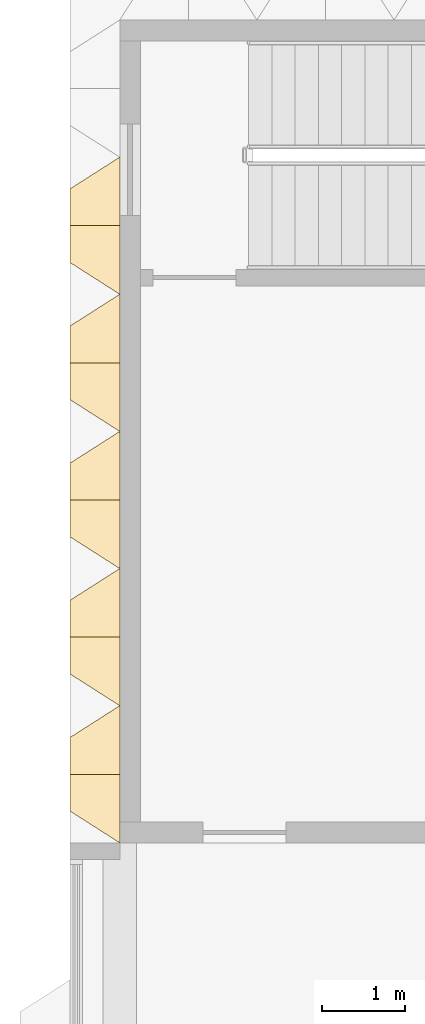
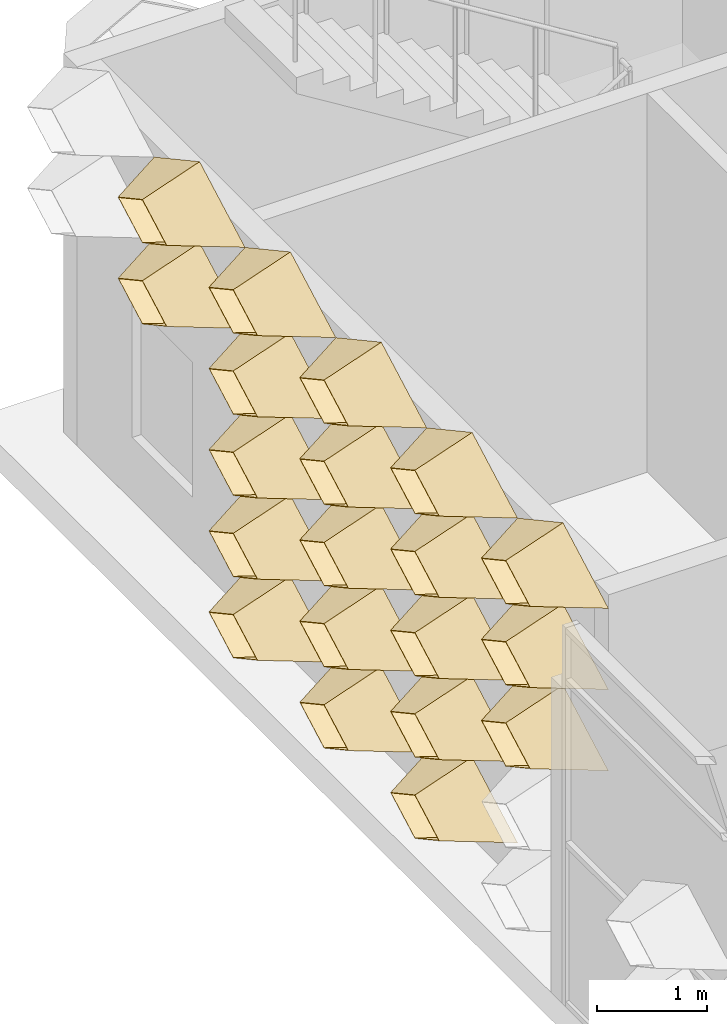
# One storey, part 65 of 109: 20 coverings.
"""IFC4 building model written with IfcOpenShell, lengths in metres."""

from ifc_helpers import new_model, entity, si_unit, direction, frame, origin, place, context, subcontext, project, spatial, material, layer, layer_set, type_object, element, save


model = new_model("IFC4")

# Units and contexts
model_context = context("Model", 3, precision=1e-05, world=origin(), true_north=direction((0.0, 1.0)))
body_context = subcontext(model_context, "Body", "Model", "MODEL_VIEW")
ifc_project = project(units=[si_unit("LENGTHUNIT", "METRE"), si_unit("AREAUNIT", "SQUARE_METRE"), si_unit("VOLUMEUNIT", "CUBIC_METRE"), si_unit("PLANEANGLEUNIT", "RADIAN"), si_unit("MASSUNIT", "GRAM", prefix="KILO")], contexts=[model_context])

# Site, building, storey
site_placement = place(None, origin())
site = spatial("IfcSite", under=ifc_project, at=site_placement, CompositionType="ELEMENT")
building_placement = place(site_placement, origin())
building = spatial("IfcBuilding", under=site, at=building_placement, Name="Lantern Court Research Institute", CompositionType="ELEMENT")
storey_placement = place(building_placement, frame((0.0, 0.0, 14.39990234375)))
storey = spatial("IfcBuildingStorey", under=building, at=storey_placement, Name="L03", CompositionType="ELEMENT", Elevation=14.39990234375)

# Coverings
ifc_material = material(Name="Anodised aluminium", Category="aluminium")
ifc_layer = layer(ifc_material, 0.01611328125)
ifc_layer_set = layer_set([ifc_layer], Name="Anodised aluminium")
covering_type = type_object("IfcCoveringType", Name="Fin cassette 1650 x 900 x 600 aluminium", PredefinedType="CLADDING", material=ifc_layer_set)
covering_1_placement = place(storey_placement, frame((0.0, 15.675048828125, 0.4501953125), z_axis=(-1.0, 0.0, 0.0), x_axis=(0.0, -1.0, 0.0)))
cartesian_point_1 = entity("IfcCartesianPoint", [0.824951171875, 0.0])
cartesian_point_2 = entity("IfcCartesianPoint", [0.79150390625, 0.0])
cartesian_point_3 = entity("IfcCartesianPoint", [0.44189453125, 0.0])
cartesian_point_4 = entity("IfcCartesianPoint", [0.43359375, 0.0])
element("IfcCovering", 1, at=covering_1_placement, inside=storey, type_object=covering_type, Name="Fin cassette V4W-L03 1.10", PredefinedType="CLADDING", context=body_context, shape_type="SweptSolid", body=[
    entity("IfcExtrudedAreaSolidTapered", entity("IfcArbitraryProfileDefWithVoids", "AREA", None, entity("IfcPolyline", [cartesian_point_1, entity("IfcCartesianPoint", [0.0, 0.449951171875]), entity("IfcCartesianPoint", [-0.824951171875, 0.0]), entity("IfcCartesianPoint", [0.0, -0.449951171875]), cartesian_point_1]), [entity("IfcPolyline", [cartesian_point_2, entity("IfcCartesianPoint", [0.0, 0.431884765625]), entity("IfcCartesianPoint", [-0.79150390625, 0.0]), entity("IfcCartesianPoint", [0.0, -0.431884765625]), cartesian_point_2])]), entity("IfcAxis2Placement3D", entity("IfcCartesianPoint", [0.0, 0.0, 0.0])), entity("IfcDirection", [0.0, 0.0, 1.0]), 0.60009765625, entity("IfcArbitraryProfileDefWithVoids", "AREA", None, entity("IfcPolyline", [cartesian_point_3, entity("IfcCartesianPoint", [0.0, 0.240966796875]), entity("IfcCartesianPoint", [-0.44189453125, 0.0]), entity("IfcCartesianPoint", [0.0, -0.240966796875]), cartesian_point_3]), [entity("IfcPolyline", [cartesian_point_4, entity("IfcCartesianPoint", [0.0, 0.236572265625]), entity("IfcCartesianPoint", [-0.43359375, 0.0]), entity("IfcCartesianPoint", [0.0, -0.236572265625]), cartesian_point_4])])),
])
covering_2_placement = place(storey_placement, frame((0.0, 17.324951171875, 0.4501953125), z_axis=(-1.0, 0.0, 0.0), x_axis=(0.0, -1.0, 0.0)))
cartesian_point_5 = entity("IfcCartesianPoint", [0.824951171875, 0.0])
cartesian_point_6 = entity("IfcCartesianPoint", [0.79150390625, 0.0])
cartesian_point_7 = entity("IfcCartesianPoint", [0.44189453125, 0.0])
cartesian_point_8 = entity("IfcCartesianPoint", [0.43359375, 0.0])
element("IfcCovering", 2, at=covering_2_placement, inside=storey, type_object=covering_type, Name="Fin cassette V4W-L03 1.11", PredefinedType="CLADDING", context=body_context, shape_type="SweptSolid", body=[
    entity("IfcExtrudedAreaSolidTapered", entity("IfcArbitraryProfileDefWithVoids", "AREA", None, entity("IfcPolyline", [cartesian_point_5, entity("IfcCartesianPoint", [0.0, 0.449951171875]), entity("IfcCartesianPoint", [-0.824951171875, 0.0]), entity("IfcCartesianPoint", [0.0, -0.449951171875]), cartesian_point_5]), [entity("IfcPolyline", [cartesian_point_6, entity("IfcCartesianPoint", [0.0, 0.431884765625]), entity("IfcCartesianPoint", [-0.79150390625, 0.0]), entity("IfcCartesianPoint", [0.0, -0.431884765625]), cartesian_point_6])]), entity("IfcAxis2Placement3D", entity("IfcCartesianPoint", [0.0, 0.0, 0.0])), entity("IfcDirection", [0.0, 0.0, 1.0]), 0.60009765625, entity("IfcArbitraryProfileDefWithVoids", "AREA", None, entity("IfcPolyline", [cartesian_point_7, entity("IfcCartesianPoint", [0.0, 0.240966796875]), entity("IfcCartesianPoint", [-0.44189453125, 0.0]), entity("IfcCartesianPoint", [0.0, -0.240966796875]), cartesian_point_7]), [entity("IfcPolyline", [cartesian_point_8, entity("IfcCartesianPoint", [0.0, 0.236572265625]), entity("IfcCartesianPoint", [-0.43359375, 0.0]), entity("IfcCartesianPoint", [0.0, -0.236572265625]), cartesian_point_8])])),
])
covering_3_placement = place(storey_placement, frame((0.0, 18.97509765625, 0.4501953125), z_axis=(-1.0, 0.0, 0.0), x_axis=(0.0, -1.0, 0.0)))
cartesian_point_9 = entity("IfcCartesianPoint", [0.824951171875, 0.0])
cartesian_point_10 = entity("IfcCartesianPoint", [0.79150390625, 0.0])
cartesian_point_11 = entity("IfcCartesianPoint", [0.44189453125, 0.0])
cartesian_point_12 = entity("IfcCartesianPoint", [0.43359375, 0.0])
element("IfcCovering", 3, at=covering_3_placement, inside=storey, type_object=covering_type, Name="Fin cassette V4W-L03 1.12", PredefinedType="CLADDING", context=body_context, shape_type="SweptSolid", body=[
    entity("IfcExtrudedAreaSolidTapered", entity("IfcArbitraryProfileDefWithVoids", "AREA", None, entity("IfcPolyline", [cartesian_point_9, entity("IfcCartesianPoint", [0.0, 0.449951171875]), entity("IfcCartesianPoint", [-0.824951171875, 0.0]), entity("IfcCartesianPoint", [0.0, -0.449951171875]), cartesian_point_9]), [entity("IfcPolyline", [cartesian_point_10, entity("IfcCartesianPoint", [0.0, 0.431884765625]), entity("IfcCartesianPoint", [-0.79150390625, 0.0]), entity("IfcCartesianPoint", [0.0, -0.431884765625]), cartesian_point_10])]), entity("IfcAxis2Placement3D", entity("IfcCartesianPoint", [0.0, 0.0, 0.0])), entity("IfcDirection", [0.0, 0.0, 1.0]), 0.60009765625, entity("IfcArbitraryProfileDefWithVoids", "AREA", None, entity("IfcPolyline", [cartesian_point_11, entity("IfcCartesianPoint", [0.0, 0.240966796875]), entity("IfcCartesianPoint", [-0.44189453125, 0.0]), entity("IfcCartesianPoint", [0.0, -0.240966796875]), cartesian_point_11]), [entity("IfcPolyline", [cartesian_point_12, entity("IfcCartesianPoint", [0.0, 0.236572265625]), entity("IfcCartesianPoint", [-0.43359375, 0.0]), entity("IfcCartesianPoint", [0.0, -0.236572265625]), cartesian_point_12])])),
])
covering_4_placement = place(storey_placement, frame((0.0, 15.675048828125, 1.35009765625), z_axis=(-1.0, 0.0, 0.0), x_axis=(0.0, -1.0, 0.0)))
cartesian_point_13 = entity("IfcCartesianPoint", [0.824951171875, 0.0])
cartesian_point_14 = entity("IfcCartesianPoint", [0.79150390625, 0.0])
cartesian_point_15 = entity("IfcCartesianPoint", [0.44189453125, 0.0])
cartesian_point_16 = entity("IfcCartesianPoint", [0.43359375, 0.0])
element("IfcCovering", 4, at=covering_4_placement, inside=storey, type_object=covering_type, Name="Fin cassette V4W-L03 2.10", PredefinedType="CLADDING", context=body_context, shape_type="SweptSolid", body=[
    entity("IfcExtrudedAreaSolidTapered", entity("IfcArbitraryProfileDefWithVoids", "AREA", None, entity("IfcPolyline", [cartesian_point_13, entity("IfcCartesianPoint", [0.0, 0.449951171875]), entity("IfcCartesianPoint", [-0.824951171875, 0.0]), entity("IfcCartesianPoint", [0.0, -0.449951171875]), cartesian_point_13]), [entity("IfcPolyline", [cartesian_point_14, entity("IfcCartesianPoint", [0.0, 0.431884765625]), entity("IfcCartesianPoint", [-0.79150390625, 0.0]), entity("IfcCartesianPoint", [0.0, -0.431884765625]), cartesian_point_14])]), entity("IfcAxis2Placement3D", entity("IfcCartesianPoint", [0.0, 0.0, 0.0])), entity("IfcDirection", [0.0, 0.0, 1.0]), 0.60009765625, entity("IfcArbitraryProfileDefWithVoids", "AREA", None, entity("IfcPolyline", [cartesian_point_15, entity("IfcCartesianPoint", [0.0, 0.240966796875]), entity("IfcCartesianPoint", [-0.44189453125, 0.0]), entity("IfcCartesianPoint", [0.0, -0.240966796875]), cartesian_point_15]), [entity("IfcPolyline", [cartesian_point_16, entity("IfcCartesianPoint", [0.0, 0.236572265625]), entity("IfcCartesianPoint", [-0.43359375, 0.0]), entity("IfcCartesianPoint", [0.0, -0.236572265625]), cartesian_point_16])])),
])
covering_5_placement = place(storey_placement, frame((0.0, 17.324951171875, 1.35009765625), z_axis=(-1.0, 0.0, 0.0), x_axis=(0.0, -1.0, 0.0)))
cartesian_point_17 = entity("IfcCartesianPoint", [0.824951171875, 0.0])
cartesian_point_18 = entity("IfcCartesianPoint", [0.79150390625, 0.0])
cartesian_point_19 = entity("IfcCartesianPoint", [0.44189453125, 0.0])
cartesian_point_20 = entity("IfcCartesianPoint", [0.43359375, 0.0])
element("IfcCovering", 5, at=covering_5_placement, inside=storey, type_object=covering_type, Name="Fin cassette V4W-L03 2.11", PredefinedType="CLADDING", context=body_context, shape_type="SweptSolid", body=[
    entity("IfcExtrudedAreaSolidTapered", entity("IfcArbitraryProfileDefWithVoids", "AREA", None, entity("IfcPolyline", [cartesian_point_17, entity("IfcCartesianPoint", [0.0, 0.449951171875]), entity("IfcCartesianPoint", [-0.824951171875, 0.0]), entity("IfcCartesianPoint", [0.0, -0.449951171875]), cartesian_point_17]), [entity("IfcPolyline", [cartesian_point_18, entity("IfcCartesianPoint", [0.0, 0.431884765625]), entity("IfcCartesianPoint", [-0.79150390625, 0.0]), entity("IfcCartesianPoint", [0.0, -0.431884765625]), cartesian_point_18])]), entity("IfcAxis2Placement3D", entity("IfcCartesianPoint", [0.0, 0.0, 0.0])), entity("IfcDirection", [0.0, 0.0, 1.0]), 0.60009765625, entity("IfcArbitraryProfileDefWithVoids", "AREA", None, entity("IfcPolyline", [cartesian_point_19, entity("IfcCartesianPoint", [0.0, 0.240966796875]), entity("IfcCartesianPoint", [-0.44189453125, 0.0]), entity("IfcCartesianPoint", [0.0, -0.240966796875]), cartesian_point_19]), [entity("IfcPolyline", [cartesian_point_20, entity("IfcCartesianPoint", [0.0, 0.236572265625]), entity("IfcCartesianPoint", [-0.43359375, 0.0]), entity("IfcCartesianPoint", [0.0, -0.236572265625]), cartesian_point_20])])),
])
covering_6_placement = place(storey_placement, frame((0.0, 18.97509765625, 1.35009765625), z_axis=(-1.0, 0.0, 0.0), x_axis=(0.0, -1.0, 0.0)))
cartesian_point_21 = entity("IfcCartesianPoint", [0.824951171875, 0.0])
cartesian_point_22 = entity("IfcCartesianPoint", [0.79150390625, 0.0])
cartesian_point_23 = entity("IfcCartesianPoint", [0.44189453125, 0.0])
cartesian_point_24 = entity("IfcCartesianPoint", [0.43359375, 0.0])
element("IfcCovering", 6, at=covering_6_placement, inside=storey, type_object=covering_type, Name="Fin cassette V4W-L03 2.12", PredefinedType="CLADDING", context=body_context, shape_type="SweptSolid", body=[
    entity("IfcExtrudedAreaSolidTapered", entity("IfcArbitraryProfileDefWithVoids", "AREA", None, entity("IfcPolyline", [cartesian_point_21, entity("IfcCartesianPoint", [0.0, 0.449951171875]), entity("IfcCartesianPoint", [-0.824951171875, 0.0]), entity("IfcCartesianPoint", [0.0, -0.449951171875]), cartesian_point_21]), [entity("IfcPolyline", [cartesian_point_22, entity("IfcCartesianPoint", [0.0, 0.431884765625]), entity("IfcCartesianPoint", [-0.79150390625, 0.0]), entity("IfcCartesianPoint", [0.0, -0.431884765625]), cartesian_point_22])]), entity("IfcAxis2Placement3D", entity("IfcCartesianPoint", [0.0, 0.0, 0.0])), entity("IfcDirection", [0.0, 0.0, 1.0]), 0.60009765625, entity("IfcArbitraryProfileDefWithVoids", "AREA", None, entity("IfcPolyline", [cartesian_point_23, entity("IfcCartesianPoint", [0.0, 0.240966796875]), entity("IfcCartesianPoint", [-0.44189453125, 0.0]), entity("IfcCartesianPoint", [0.0, -0.240966796875]), cartesian_point_23]), [entity("IfcPolyline", [cartesian_point_24, entity("IfcCartesianPoint", [0.0, 0.236572265625]), entity("IfcCartesianPoint", [-0.43359375, 0.0]), entity("IfcCartesianPoint", [0.0, -0.236572265625]), cartesian_point_24])])),
])
covering_7_placement = place(storey_placement, frame((0.0, 14.02490234375, 2.25), z_axis=(-1.0, 0.0, 0.0), x_axis=(0.0, -1.0, 0.0)))
cartesian_point_25 = entity("IfcCartesianPoint", [0.824951171875, 0.0])
cartesian_point_26 = entity("IfcCartesianPoint", [0.79150390625, 0.0])
cartesian_point_27 = entity("IfcCartesianPoint", [0.44189453125, 0.0])
cartesian_point_28 = entity("IfcCartesianPoint", [0.43359375, 0.0])
element("IfcCovering", 7, at=covering_7_placement, inside=storey, type_object=covering_type, Name="Fin cassette V4W-L03 3.9", PredefinedType="CLADDING", context=body_context, shape_type="SweptSolid", body=[
    entity("IfcExtrudedAreaSolidTapered", entity("IfcArbitraryProfileDefWithVoids", "AREA", None, entity("IfcPolyline", [cartesian_point_25, entity("IfcCartesianPoint", [0.0, 0.449951171875]), entity("IfcCartesianPoint", [-0.824951171875, 0.0]), entity("IfcCartesianPoint", [0.0, -0.449951171875]), cartesian_point_25]), [entity("IfcPolyline", [cartesian_point_26, entity("IfcCartesianPoint", [0.0, 0.431884765625]), entity("IfcCartesianPoint", [-0.79150390625, 0.0]), entity("IfcCartesianPoint", [0.0, -0.431884765625]), cartesian_point_26])]), entity("IfcAxis2Placement3D", entity("IfcCartesianPoint", [0.0, 0.0, 0.0])), entity("IfcDirection", [0.0, 0.0, 1.0]), 0.60009765625, entity("IfcArbitraryProfileDefWithVoids", "AREA", None, entity("IfcPolyline", [cartesian_point_27, entity("IfcCartesianPoint", [0.0, 0.240966796875]), entity("IfcCartesianPoint", [-0.44189453125, 0.0]), entity("IfcCartesianPoint", [0.0, -0.240966796875]), cartesian_point_27]), [entity("IfcPolyline", [cartesian_point_28, entity("IfcCartesianPoint", [0.0, 0.236572265625]), entity("IfcCartesianPoint", [-0.43359375, 0.0]), entity("IfcCartesianPoint", [0.0, -0.236572265625]), cartesian_point_28])])),
])
covering_8_placement = place(storey_placement, frame((0.0, 15.675048828125, 2.25), z_axis=(-1.0, 0.0, 0.0), x_axis=(0.0, -1.0, 0.0)))
cartesian_point_29 = entity("IfcCartesianPoint", [0.824951171875, 0.0])
cartesian_point_30 = entity("IfcCartesianPoint", [0.79150390625, 0.0])
cartesian_point_31 = entity("IfcCartesianPoint", [0.44189453125, 0.0])
cartesian_point_32 = entity("IfcCartesianPoint", [0.43359375, 0.0])
element("IfcCovering", 8, at=covering_8_placement, inside=storey, type_object=covering_type, Name="Fin cassette V4W-L03 3.10", PredefinedType="CLADDING", context=body_context, shape_type="SweptSolid", body=[
    entity("IfcExtrudedAreaSolidTapered", entity("IfcArbitraryProfileDefWithVoids", "AREA", None, entity("IfcPolyline", [cartesian_point_29, entity("IfcCartesianPoint", [0.0, 0.449951171875]), entity("IfcCartesianPoint", [-0.824951171875, 0.0]), entity("IfcCartesianPoint", [0.0, -0.449951171875]), cartesian_point_29]), [entity("IfcPolyline", [cartesian_point_30, entity("IfcCartesianPoint", [0.0, 0.431884765625]), entity("IfcCartesianPoint", [-0.79150390625, 0.0]), entity("IfcCartesianPoint", [0.0, -0.431884765625]), cartesian_point_30])]), entity("IfcAxis2Placement3D", entity("IfcCartesianPoint", [0.0, 0.0, 0.0])), entity("IfcDirection", [0.0, 0.0, 1.0]), 0.60009765625, entity("IfcArbitraryProfileDefWithVoids", "AREA", None, entity("IfcPolyline", [cartesian_point_31, entity("IfcCartesianPoint", [0.0, 0.240966796875]), entity("IfcCartesianPoint", [-0.44189453125, 0.0]), entity("IfcCartesianPoint", [0.0, -0.240966796875]), cartesian_point_31]), [entity("IfcPolyline", [cartesian_point_32, entity("IfcCartesianPoint", [0.0, 0.236572265625]), entity("IfcCartesianPoint", [-0.43359375, 0.0]), entity("IfcCartesianPoint", [0.0, -0.236572265625]), cartesian_point_32])])),
])
covering_9_placement = place(storey_placement, frame((0.0, 17.324951171875, 2.25), z_axis=(-1.0, 0.0, 0.0), x_axis=(0.0, -1.0, 0.0)))
cartesian_point_33 = entity("IfcCartesianPoint", [0.824951171875, 0.0])
cartesian_point_34 = entity("IfcCartesianPoint", [0.79150390625, 0.0])
cartesian_point_35 = entity("IfcCartesianPoint", [0.44189453125, 0.0])
cartesian_point_36 = entity("IfcCartesianPoint", [0.43359375, 0.0])
element("IfcCovering", 9, at=covering_9_placement, inside=storey, type_object=covering_type, Name="Fin cassette V4W-L03 3.11", PredefinedType="CLADDING", context=body_context, shape_type="SweptSolid", body=[
    entity("IfcExtrudedAreaSolidTapered", entity("IfcArbitraryProfileDefWithVoids", "AREA", None, entity("IfcPolyline", [cartesian_point_33, entity("IfcCartesianPoint", [0.0, 0.449951171875]), entity("IfcCartesianPoint", [-0.824951171875, 0.0]), entity("IfcCartesianPoint", [0.0, -0.449951171875]), cartesian_point_33]), [entity("IfcPolyline", [cartesian_point_34, entity("IfcCartesianPoint", [0.0, 0.431884765625]), entity("IfcCartesianPoint", [-0.79150390625, 0.0]), entity("IfcCartesianPoint", [0.0, -0.431884765625]), cartesian_point_34])]), entity("IfcAxis2Placement3D", entity("IfcCartesianPoint", [0.0, 0.0, 0.0])), entity("IfcDirection", [0.0, 0.0, 1.0]), 0.60009765625, entity("IfcArbitraryProfileDefWithVoids", "AREA", None, entity("IfcPolyline", [cartesian_point_35, entity("IfcCartesianPoint", [0.0, 0.240966796875]), entity("IfcCartesianPoint", [-0.44189453125, 0.0]), entity("IfcCartesianPoint", [0.0, -0.240966796875]), cartesian_point_35]), [entity("IfcPolyline", [cartesian_point_36, entity("IfcCartesianPoint", [0.0, 0.236572265625]), entity("IfcCartesianPoint", [-0.43359375, 0.0]), entity("IfcCartesianPoint", [0.0, -0.236572265625]), cartesian_point_36])])),
])
covering_10_placement = place(storey_placement, frame((0.0, 18.97509765625, 2.25), z_axis=(-1.0, 0.0, 0.0), x_axis=(0.0, -1.0, 0.0)))
cartesian_point_37 = entity("IfcCartesianPoint", [0.824951171875, 0.0])
cartesian_point_38 = entity("IfcCartesianPoint", [0.79150390625, 0.0])
cartesian_point_39 = entity("IfcCartesianPoint", [0.44189453125, 0.0])
cartesian_point_40 = entity("IfcCartesianPoint", [0.43359375, 0.0])
element("IfcCovering", 10, at=covering_10_placement, inside=storey, type_object=covering_type, Name="Fin cassette V4W-L03 3.12", PredefinedType="CLADDING", context=body_context, shape_type="SweptSolid", body=[
    entity("IfcExtrudedAreaSolidTapered", entity("IfcArbitraryProfileDefWithVoids", "AREA", None, entity("IfcPolyline", [cartesian_point_37, entity("IfcCartesianPoint", [0.0, 0.449951171875]), entity("IfcCartesianPoint", [-0.824951171875, 0.0]), entity("IfcCartesianPoint", [0.0, -0.449951171875]), cartesian_point_37]), [entity("IfcPolyline", [cartesian_point_38, entity("IfcCartesianPoint", [0.0, 0.431884765625]), entity("IfcCartesianPoint", [-0.79150390625, 0.0]), entity("IfcCartesianPoint", [0.0, -0.431884765625]), cartesian_point_38])]), entity("IfcAxis2Placement3D", entity("IfcCartesianPoint", [0.0, 0.0, 0.0])), entity("IfcDirection", [0.0, 0.0, 1.0]), 0.60009765625, entity("IfcArbitraryProfileDefWithVoids", "AREA", None, entity("IfcPolyline", [cartesian_point_39, entity("IfcCartesianPoint", [0.0, 0.240966796875]), entity("IfcCartesianPoint", [-0.44189453125, 0.0]), entity("IfcCartesianPoint", [0.0, -0.240966796875]), cartesian_point_39]), [entity("IfcPolyline", [cartesian_point_40, entity("IfcCartesianPoint", [0.0, 0.236572265625]), entity("IfcCartesianPoint", [-0.43359375, 0.0]), entity("IfcCartesianPoint", [0.0, -0.236572265625]), cartesian_point_40])])),
])
covering_11_placement = place(storey_placement, frame((0.0, 14.02490234375, 3.150146484375), z_axis=(-1.0, 0.0, 0.0), x_axis=(0.0, -1.0, 0.0)))
cartesian_point_41 = entity("IfcCartesianPoint", [0.824951171875, 0.0])
cartesian_point_42 = entity("IfcCartesianPoint", [0.79150390625, 0.0])
cartesian_point_43 = entity("IfcCartesianPoint", [0.44189453125, 0.0])
cartesian_point_44 = entity("IfcCartesianPoint", [0.43359375, 0.0])
element("IfcCovering", 11, at=covering_11_placement, inside=storey, type_object=covering_type, Name="Fin cassette V4W-L03 4.9", PredefinedType="CLADDING", context=body_context, shape_type="SweptSolid", body=[
    entity("IfcExtrudedAreaSolidTapered", entity("IfcArbitraryProfileDefWithVoids", "AREA", None, entity("IfcPolyline", [cartesian_point_41, entity("IfcCartesianPoint", [0.0, 0.449951171875]), entity("IfcCartesianPoint", [-0.824951171875, 0.0]), entity("IfcCartesianPoint", [0.0, -0.449951171875]), cartesian_point_41]), [entity("IfcPolyline", [cartesian_point_42, entity("IfcCartesianPoint", [0.0, 0.431884765625]), entity("IfcCartesianPoint", [-0.79150390625, 0.0]), entity("IfcCartesianPoint", [0.0, -0.431884765625]), cartesian_point_42])]), entity("IfcAxis2Placement3D", entity("IfcCartesianPoint", [0.0, 0.0, 0.0])), entity("IfcDirection", [0.0, 0.0, 1.0]), 0.60009765625, entity("IfcArbitraryProfileDefWithVoids", "AREA", None, entity("IfcPolyline", [cartesian_point_43, entity("IfcCartesianPoint", [0.0, 0.240966796875]), entity("IfcCartesianPoint", [-0.44189453125, 0.0]), entity("IfcCartesianPoint", [0.0, -0.240966796875]), cartesian_point_43]), [entity("IfcPolyline", [cartesian_point_44, entity("IfcCartesianPoint", [0.0, 0.236572265625]), entity("IfcCartesianPoint", [-0.43359375, 0.0]), entity("IfcCartesianPoint", [0.0, -0.236572265625]), cartesian_point_44])])),
])
covering_12_placement = place(storey_placement, frame((0.0, 15.675048828125, 3.150146484375), z_axis=(-1.0, 0.0, 0.0), x_axis=(0.0, -1.0, 0.0)))
cartesian_point_45 = entity("IfcCartesianPoint", [0.824951171875, 0.0])
cartesian_point_46 = entity("IfcCartesianPoint", [0.79150390625, 0.0])
cartesian_point_47 = entity("IfcCartesianPoint", [0.44189453125, 0.0])
cartesian_point_48 = entity("IfcCartesianPoint", [0.43359375, 0.0])
element("IfcCovering", 12, at=covering_12_placement, inside=storey, type_object=covering_type, Name="Fin cassette V4W-L03 4.10", PredefinedType="CLADDING", context=body_context, shape_type="SweptSolid", body=[
    entity("IfcExtrudedAreaSolidTapered", entity("IfcArbitraryProfileDefWithVoids", "AREA", None, entity("IfcPolyline", [cartesian_point_45, entity("IfcCartesianPoint", [0.0, 0.449951171875]), entity("IfcCartesianPoint", [-0.824951171875, 0.0]), entity("IfcCartesianPoint", [0.0, -0.449951171875]), cartesian_point_45]), [entity("IfcPolyline", [cartesian_point_46, entity("IfcCartesianPoint", [0.0, 0.431884765625]), entity("IfcCartesianPoint", [-0.79150390625, 0.0]), entity("IfcCartesianPoint", [0.0, -0.431884765625]), cartesian_point_46])]), entity("IfcAxis2Placement3D", entity("IfcCartesianPoint", [0.0, 0.0, 0.0])), entity("IfcDirection", [0.0, 0.0, 1.0]), 0.60009765625, entity("IfcArbitraryProfileDefWithVoids", "AREA", None, entity("IfcPolyline", [cartesian_point_47, entity("IfcCartesianPoint", [0.0, 0.240966796875]), entity("IfcCartesianPoint", [-0.44189453125, 0.0]), entity("IfcCartesianPoint", [0.0, -0.240966796875]), cartesian_point_47]), [entity("IfcPolyline", [cartesian_point_48, entity("IfcCartesianPoint", [0.0, 0.236572265625]), entity("IfcCartesianPoint", [-0.43359375, 0.0]), entity("IfcCartesianPoint", [0.0, -0.236572265625]), cartesian_point_48])])),
])
covering_13_placement = place(storey_placement, frame((0.0, 17.324951171875, 3.150146484375), z_axis=(-1.0, 0.0, 0.0), x_axis=(0.0, -1.0, 0.0)))
cartesian_point_49 = entity("IfcCartesianPoint", [0.824951171875, 0.0])
cartesian_point_50 = entity("IfcCartesianPoint", [0.79150390625, 0.0])
cartesian_point_51 = entity("IfcCartesianPoint", [0.44189453125, 0.0])
cartesian_point_52 = entity("IfcCartesianPoint", [0.43359375, 0.0])
element("IfcCovering", 13, at=covering_13_placement, inside=storey, type_object=covering_type, Name="Fin cassette V4W-L03 4.11", PredefinedType="CLADDING", context=body_context, shape_type="SweptSolid", body=[
    entity("IfcExtrudedAreaSolidTapered", entity("IfcArbitraryProfileDefWithVoids", "AREA", None, entity("IfcPolyline", [cartesian_point_49, entity("IfcCartesianPoint", [0.0, 0.449951171875]), entity("IfcCartesianPoint", [-0.824951171875, 0.0]), entity("IfcCartesianPoint", [0.0, -0.449951171875]), cartesian_point_49]), [entity("IfcPolyline", [cartesian_point_50, entity("IfcCartesianPoint", [0.0, 0.431884765625]), entity("IfcCartesianPoint", [-0.79150390625, 0.0]), entity("IfcCartesianPoint", [0.0, -0.431884765625]), cartesian_point_50])]), entity("IfcAxis2Placement3D", entity("IfcCartesianPoint", [0.0, 0.0, 0.0])), entity("IfcDirection", [0.0, 0.0, 1.0]), 0.60009765625, entity("IfcArbitraryProfileDefWithVoids", "AREA", None, entity("IfcPolyline", [cartesian_point_51, entity("IfcCartesianPoint", [0.0, 0.240966796875]), entity("IfcCartesianPoint", [-0.44189453125, 0.0]), entity("IfcCartesianPoint", [0.0, -0.240966796875]), cartesian_point_51]), [entity("IfcPolyline", [cartesian_point_52, entity("IfcCartesianPoint", [0.0, 0.236572265625]), entity("IfcCartesianPoint", [-0.43359375, 0.0]), entity("IfcCartesianPoint", [0.0, -0.236572265625]), cartesian_point_52])])),
])
covering_14_placement = place(storey_placement, frame((0.0, 18.97509765625, 3.150146484375), z_axis=(-1.0, 0.0, 0.0), x_axis=(0.0, -1.0, 0.0)))
cartesian_point_53 = entity("IfcCartesianPoint", [0.824951171875, 0.0])
cartesian_point_54 = entity("IfcCartesianPoint", [0.79150390625, 0.0])
cartesian_point_55 = entity("IfcCartesianPoint", [0.44189453125, 0.0])
cartesian_point_56 = entity("IfcCartesianPoint", [0.43359375, 0.0])
element("IfcCovering", 14, at=covering_14_placement, inside=storey, type_object=covering_type, Name="Fin cassette V4W-L03 4.12", PredefinedType="CLADDING", context=body_context, shape_type="SweptSolid", body=[
    entity("IfcExtrudedAreaSolidTapered", entity("IfcArbitraryProfileDefWithVoids", "AREA", None, entity("IfcPolyline", [cartesian_point_53, entity("IfcCartesianPoint", [0.0, 0.449951171875]), entity("IfcCartesianPoint", [-0.824951171875, 0.0]), entity("IfcCartesianPoint", [0.0, -0.449951171875]), cartesian_point_53]), [entity("IfcPolyline", [cartesian_point_54, entity("IfcCartesianPoint", [0.0, 0.431884765625]), entity("IfcCartesianPoint", [-0.79150390625, 0.0]), entity("IfcCartesianPoint", [0.0, -0.431884765625]), cartesian_point_54])]), entity("IfcAxis2Placement3D", entity("IfcCartesianPoint", [0.0, 0.0, 0.0])), entity("IfcDirection", [0.0, 0.0, 1.0]), 0.60009765625, entity("IfcArbitraryProfileDefWithVoids", "AREA", None, entity("IfcPolyline", [cartesian_point_55, entity("IfcCartesianPoint", [0.0, 0.240966796875]), entity("IfcCartesianPoint", [-0.44189453125, 0.0]), entity("IfcCartesianPoint", [0.0, -0.240966796875]), cartesian_point_55]), [entity("IfcPolyline", [cartesian_point_56, entity("IfcCartesianPoint", [0.0, 0.236572265625]), entity("IfcCartesianPoint", [-0.43359375, 0.0]), entity("IfcCartesianPoint", [0.0, -0.236572265625]), cartesian_point_56])])),
])
covering_15_placement = place(storey_placement, frame((0.0, 20.625, 3.150146484375), z_axis=(-1.0, 0.0, 0.0), x_axis=(0.0, -1.0, 0.0)))
cartesian_point_57 = entity("IfcCartesianPoint", [0.824951171875, 0.0])
cartesian_point_58 = entity("IfcCartesianPoint", [0.79150390625, 0.0])
cartesian_point_59 = entity("IfcCartesianPoint", [0.44189453125, 0.0])
cartesian_point_60 = entity("IfcCartesianPoint", [0.43359375, 0.0])
element("IfcCovering", 15, at=covering_15_placement, inside=storey, type_object=covering_type, Name="Fin cassette V4W-L03 4.13", PredefinedType="CLADDING", context=body_context, shape_type="SweptSolid", body=[
    entity("IfcExtrudedAreaSolidTapered", entity("IfcArbitraryProfileDefWithVoids", "AREA", None, entity("IfcPolyline", [cartesian_point_57, entity("IfcCartesianPoint", [0.0, 0.449951171875]), entity("IfcCartesianPoint", [-0.824951171875, 0.0]), entity("IfcCartesianPoint", [0.0, -0.449951171875]), cartesian_point_57]), [entity("IfcPolyline", [cartesian_point_58, entity("IfcCartesianPoint", [0.0, 0.431884765625]), entity("IfcCartesianPoint", [-0.79150390625, 0.0]), entity("IfcCartesianPoint", [0.0, -0.431884765625]), cartesian_point_58])]), entity("IfcAxis2Placement3D", entity("IfcCartesianPoint", [0.0, 0.0, 0.0])), entity("IfcDirection", [0.0, 0.0, 1.0]), 0.60009765625, entity("IfcArbitraryProfileDefWithVoids", "AREA", None, entity("IfcPolyline", [cartesian_point_59, entity("IfcCartesianPoint", [0.0, 0.240966796875]), entity("IfcCartesianPoint", [-0.44189453125, 0.0]), entity("IfcCartesianPoint", [0.0, -0.240966796875]), cartesian_point_59]), [entity("IfcPolyline", [cartesian_point_60, entity("IfcCartesianPoint", [0.0, 0.236572265625]), entity("IfcCartesianPoint", [-0.43359375, 0.0]), entity("IfcCartesianPoint", [0.0, -0.236572265625]), cartesian_point_60])])),
])
covering_16_placement = place(storey_placement, frame((0.0, 14.02490234375, 4.050048828125), z_axis=(-1.0, 0.0, 0.0), x_axis=(0.0, -1.0, 0.0)))
cartesian_point_61 = entity("IfcCartesianPoint", [0.824951171875, 0.0])
cartesian_point_62 = entity("IfcCartesianPoint", [0.79150390625, 0.0])
cartesian_point_63 = entity("IfcCartesianPoint", [0.44189453125, 0.0])
cartesian_point_64 = entity("IfcCartesianPoint", [0.43359375, 0.0])
element("IfcCovering", 16, at=covering_16_placement, inside=storey, type_object=covering_type, Name="Fin cassette V4W-L03 5.9", PredefinedType="CLADDING", context=body_context, shape_type="SweptSolid", body=[
    entity("IfcExtrudedAreaSolidTapered", entity("IfcArbitraryProfileDefWithVoids", "AREA", None, entity("IfcPolyline", [cartesian_point_61, entity("IfcCartesianPoint", [0.0, 0.449951171875]), entity("IfcCartesianPoint", [-0.824951171875, 0.0]), entity("IfcCartesianPoint", [0.0, -0.449951171875]), cartesian_point_61]), [entity("IfcPolyline", [cartesian_point_62, entity("IfcCartesianPoint", [0.0, 0.431884765625]), entity("IfcCartesianPoint", [-0.79150390625, 0.0]), entity("IfcCartesianPoint", [0.0, -0.431884765625]), cartesian_point_62])]), entity("IfcAxis2Placement3D", entity("IfcCartesianPoint", [0.0, 0.0, 0.0])), entity("IfcDirection", [0.0, 0.0, 1.0]), 0.60009765625, entity("IfcArbitraryProfileDefWithVoids", "AREA", None, entity("IfcPolyline", [cartesian_point_63, entity("IfcCartesianPoint", [0.0, 0.240966796875]), entity("IfcCartesianPoint", [-0.44189453125, 0.0]), entity("IfcCartesianPoint", [0.0, -0.240966796875]), cartesian_point_63]), [entity("IfcPolyline", [cartesian_point_64, entity("IfcCartesianPoint", [0.0, 0.236572265625]), entity("IfcCartesianPoint", [-0.43359375, 0.0]), entity("IfcCartesianPoint", [0.0, -0.236572265625]), cartesian_point_64])])),
])
covering_17_placement = place(storey_placement, frame((0.0, 15.675048828125, 4.050048828125), z_axis=(-1.0, 0.0, 0.0), x_axis=(0.0, -1.0, 0.0)))
cartesian_point_65 = entity("IfcCartesianPoint", [0.824951171875, 0.0])
cartesian_point_66 = entity("IfcCartesianPoint", [0.79150390625, 0.0])
cartesian_point_67 = entity("IfcCartesianPoint", [0.44189453125, 0.0])
cartesian_point_68 = entity("IfcCartesianPoint", [0.43359375, 0.0])
element("IfcCovering", 17, at=covering_17_placement, inside=storey, type_object=covering_type, Name="Fin cassette V4W-L03 5.10", PredefinedType="CLADDING", context=body_context, shape_type="SweptSolid", body=[
    entity("IfcExtrudedAreaSolidTapered", entity("IfcArbitraryProfileDefWithVoids", "AREA", None, entity("IfcPolyline", [cartesian_point_65, entity("IfcCartesianPoint", [0.0, 0.449951171875]), entity("IfcCartesianPoint", [-0.824951171875, 0.0]), entity("IfcCartesianPoint", [0.0, -0.449951171875]), cartesian_point_65]), [entity("IfcPolyline", [cartesian_point_66, entity("IfcCartesianPoint", [0.0, 0.431884765625]), entity("IfcCartesianPoint", [-0.79150390625, 0.0]), entity("IfcCartesianPoint", [0.0, -0.431884765625]), cartesian_point_66])]), entity("IfcAxis2Placement3D", entity("IfcCartesianPoint", [0.0, 0.0, 0.0])), entity("IfcDirection", [0.0, 0.0, 1.0]), 0.60009765625, entity("IfcArbitraryProfileDefWithVoids", "AREA", None, entity("IfcPolyline", [cartesian_point_67, entity("IfcCartesianPoint", [0.0, 0.240966796875]), entity("IfcCartesianPoint", [-0.44189453125, 0.0]), entity("IfcCartesianPoint", [0.0, -0.240966796875]), cartesian_point_67]), [entity("IfcPolyline", [cartesian_point_68, entity("IfcCartesianPoint", [0.0, 0.236572265625]), entity("IfcCartesianPoint", [-0.43359375, 0.0]), entity("IfcCartesianPoint", [0.0, -0.236572265625]), cartesian_point_68])])),
])
covering_18_placement = place(storey_placement, frame((0.0, 17.324951171875, 4.050048828125), z_axis=(-1.0, 0.0, 0.0), x_axis=(0.0, -1.0, 0.0)))
cartesian_point_69 = entity("IfcCartesianPoint", [0.824951171875, 0.0])
cartesian_point_70 = entity("IfcCartesianPoint", [0.79150390625, 0.0])
cartesian_point_71 = entity("IfcCartesianPoint", [0.44189453125, 0.0])
cartesian_point_72 = entity("IfcCartesianPoint", [0.43359375, 0.0])
element("IfcCovering", 18, at=covering_18_placement, inside=storey, type_object=covering_type, Name="Fin cassette V4W-L03 5.11", PredefinedType="CLADDING", context=body_context, shape_type="SweptSolid", body=[
    entity("IfcExtrudedAreaSolidTapered", entity("IfcArbitraryProfileDefWithVoids", "AREA", None, entity("IfcPolyline", [cartesian_point_69, entity("IfcCartesianPoint", [0.0, 0.449951171875]), entity("IfcCartesianPoint", [-0.824951171875, 0.0]), entity("IfcCartesianPoint", [0.0, -0.449951171875]), cartesian_point_69]), [entity("IfcPolyline", [cartesian_point_70, entity("IfcCartesianPoint", [0.0, 0.431884765625]), entity("IfcCartesianPoint", [-0.79150390625, 0.0]), entity("IfcCartesianPoint", [0.0, -0.431884765625]), cartesian_point_70])]), entity("IfcAxis2Placement3D", entity("IfcCartesianPoint", [0.0, 0.0, 0.0])), entity("IfcDirection", [0.0, 0.0, 1.0]), 0.60009765625, entity("IfcArbitraryProfileDefWithVoids", "AREA", None, entity("IfcPolyline", [cartesian_point_71, entity("IfcCartesianPoint", [0.0, 0.240966796875]), entity("IfcCartesianPoint", [-0.44189453125, 0.0]), entity("IfcCartesianPoint", [0.0, -0.240966796875]), cartesian_point_71]), [entity("IfcPolyline", [cartesian_point_72, entity("IfcCartesianPoint", [0.0, 0.236572265625]), entity("IfcCartesianPoint", [-0.43359375, 0.0]), entity("IfcCartesianPoint", [0.0, -0.236572265625]), cartesian_point_72])])),
])
covering_19_placement = place(storey_placement, frame((0.0, 18.97509765625, 4.050048828125), z_axis=(-1.0, 0.0, 0.0), x_axis=(0.0, -1.0, 0.0)))
cartesian_point_73 = entity("IfcCartesianPoint", [0.824951171875, 0.0])
cartesian_point_74 = entity("IfcCartesianPoint", [0.79150390625, 0.0])
cartesian_point_75 = entity("IfcCartesianPoint", [0.44189453125, 0.0])
cartesian_point_76 = entity("IfcCartesianPoint", [0.43359375, 0.0])
element("IfcCovering", 19, at=covering_19_placement, inside=storey, type_object=covering_type, Name="Fin cassette V4W-L03 5.12", PredefinedType="CLADDING", context=body_context, shape_type="SweptSolid", body=[
    entity("IfcExtrudedAreaSolidTapered", entity("IfcArbitraryProfileDefWithVoids", "AREA", None, entity("IfcPolyline", [cartesian_point_73, entity("IfcCartesianPoint", [0.0, 0.449951171875]), entity("IfcCartesianPoint", [-0.824951171875, 0.0]), entity("IfcCartesianPoint", [0.0, -0.449951171875]), cartesian_point_73]), [entity("IfcPolyline", [cartesian_point_74, entity("IfcCartesianPoint", [0.0, 0.431884765625]), entity("IfcCartesianPoint", [-0.79150390625, 0.0]), entity("IfcCartesianPoint", [0.0, -0.431884765625]), cartesian_point_74])]), entity("IfcAxis2Placement3D", entity("IfcCartesianPoint", [0.0, 0.0, 0.0])), entity("IfcDirection", [0.0, 0.0, 1.0]), 0.60009765625, entity("IfcArbitraryProfileDefWithVoids", "AREA", None, entity("IfcPolyline", [cartesian_point_75, entity("IfcCartesianPoint", [0.0, 0.240966796875]), entity("IfcCartesianPoint", [-0.44189453125, 0.0]), entity("IfcCartesianPoint", [0.0, -0.240966796875]), cartesian_point_75]), [entity("IfcPolyline", [cartesian_point_76, entity("IfcCartesianPoint", [0.0, 0.236572265625]), entity("IfcCartesianPoint", [-0.43359375, 0.0]), entity("IfcCartesianPoint", [0.0, -0.236572265625]), cartesian_point_76])])),
])
covering_20_placement = place(storey_placement, frame((0.0, 20.625, 4.050048828125), z_axis=(-1.0, 0.0, 0.0), x_axis=(0.0, -1.0, 0.0)))
cartesian_point_77 = entity("IfcCartesianPoint", [0.824951171875, 0.0])
cartesian_point_78 = entity("IfcCartesianPoint", [0.79150390625, 0.0])
cartesian_point_79 = entity("IfcCartesianPoint", [0.44189453125, 0.0])
cartesian_point_80 = entity("IfcCartesianPoint", [0.43359375, 0.0])
element("IfcCovering", 20, at=covering_20_placement, inside=storey, type_object=covering_type, Name="Fin cassette V4W-L03 5.13", PredefinedType="CLADDING", context=body_context, shape_type="SweptSolid", body=[
    entity("IfcExtrudedAreaSolidTapered", entity("IfcArbitraryProfileDefWithVoids", "AREA", None, entity("IfcPolyline", [cartesian_point_77, entity("IfcCartesianPoint", [0.0, 0.449951171875]), entity("IfcCartesianPoint", [-0.824951171875, 0.0]), entity("IfcCartesianPoint", [0.0, -0.449951171875]), cartesian_point_77]), [entity("IfcPolyline", [cartesian_point_78, entity("IfcCartesianPoint", [0.0, 0.431884765625]), entity("IfcCartesianPoint", [-0.79150390625, 0.0]), entity("IfcCartesianPoint", [0.0, -0.431884765625]), cartesian_point_78])]), entity("IfcAxis2Placement3D", entity("IfcCartesianPoint", [0.0, 0.0, 0.0])), entity("IfcDirection", [0.0, 0.0, 1.0]), 0.60009765625, entity("IfcArbitraryProfileDefWithVoids", "AREA", None, entity("IfcPolyline", [cartesian_point_79, entity("IfcCartesianPoint", [0.0, 0.240966796875]), entity("IfcCartesianPoint", [-0.44189453125, 0.0]), entity("IfcCartesianPoint", [0.0, -0.240966796875]), cartesian_point_79]), [entity("IfcPolyline", [cartesian_point_80, entity("IfcCartesianPoint", [0.0, 0.236572265625]), entity("IfcCartesianPoint", [-0.43359375, 0.0]), entity("IfcCartesianPoint", [0.0, -0.236572265625]), cartesian_point_80])])),
])

save(model, "model.ifc")
